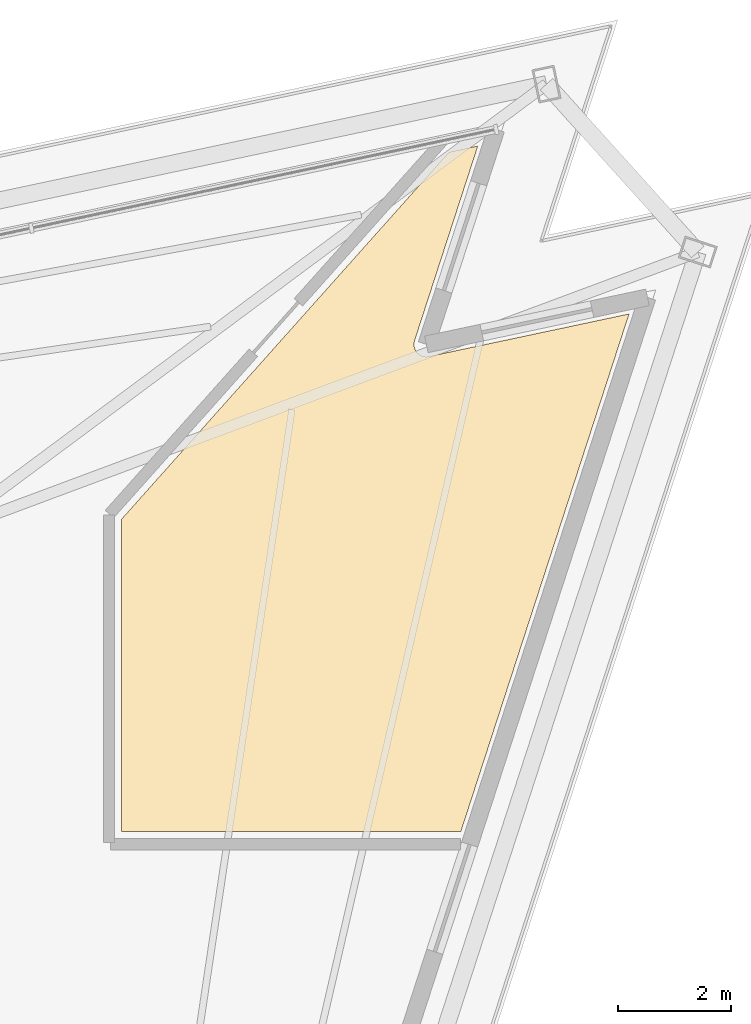
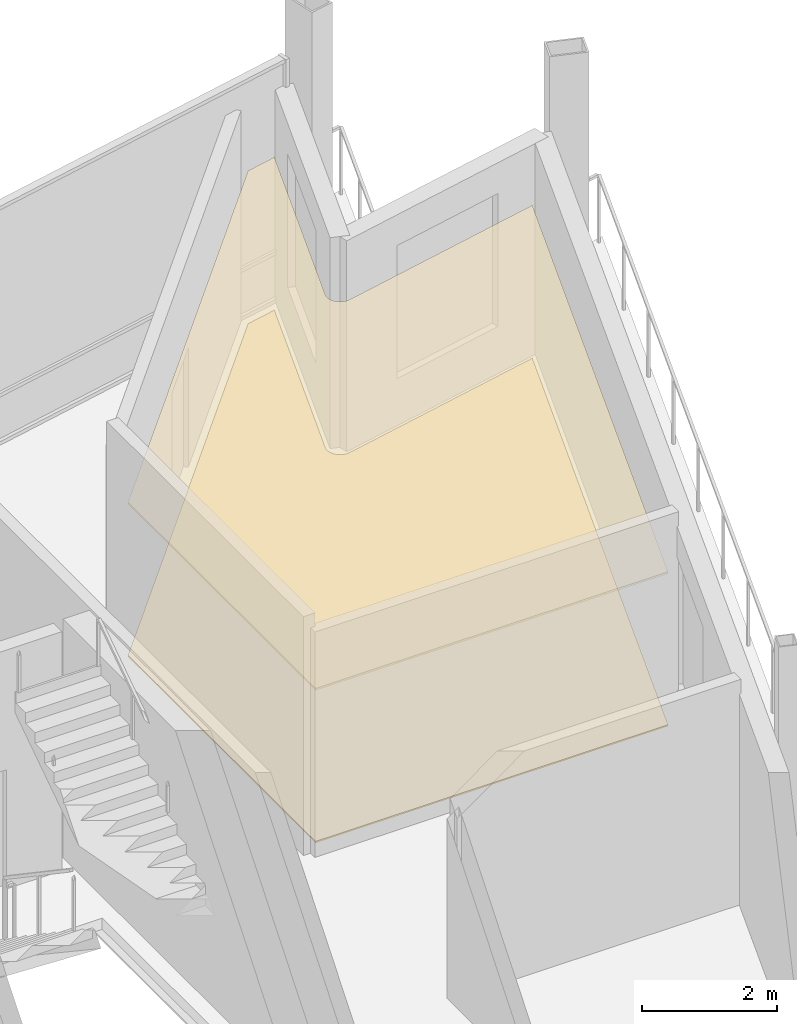
# One storey, part 11 of 11: 2 coverings.
"""IFC4 building model written with IfcOpenShell, lengths in metres."""

from ifc_helpers import new_model, si_unit, direction, frame, origin, place, context, subcontext, project, spatial, polyline, outline, extrude, material, layer, layer_set, type_object, element, save


model = new_model("IFC4")

# Units and contexts
model_context = context("Model", 3, precision=1e-05, world=origin(), true_north=direction((0.0, 1.0)))
body_context = subcontext(model_context, "Body", "Model", "MODEL_VIEW")
ifc_project = project(units=[si_unit("LENGTHUNIT", "METRE"), si_unit("AREAUNIT", "SQUARE_METRE"), si_unit("VOLUMEUNIT", "CUBIC_METRE"), si_unit("PLANEANGLEUNIT", "RADIAN"), si_unit("MASSUNIT", "GRAM", prefix="KILO")], contexts=[model_context])

# Site, building, storey
site_placement = place(None, origin())
site = spatial("IfcSite", under=ifc_project, at=site_placement, CompositionType="ELEMENT")
building_placement = place(site_placement, origin())
building = spatial("IfcBuilding", under=site, at=building_placement, Name="Tharavind Bronze Gate", CompositionType="ELEMENT")
storey_placement = place(building_placement, frame((0.0, 0.0, 306.300048828125)))
storey = spatial("IfcBuildingStorey", under=building, at=storey_placement, Name="L79", CompositionType="ELEMENT", Elevation=306.300048828125)

# Coverings
ifc_material_1 = material(Name="Perforated Bronze Acoustic Panel", Category="bronze")
ifc_layer_1 = layer(ifc_material_1, 0.044921875)
ifc_layer_set_1 = layer_set([ifc_layer_1], Name="Perforated Bronze Acoustic Panel")
covering_type_1 = type_object("IfcCoveringType", Name="ACOUSTIC BRONZE BAFFLE CEILING", PredefinedType="CEILING", material=ifc_layer_set_1)
covering_1_placement = place(storey_placement, frame((0.0, 0.0, 2.75)))
element("IfcCovering", 1, at=covering_1_placement, inside=storey, type_object=covering_type_1, Name="L79-RM-01 suspended ceiling", PredefinedType="CEILING", context=body_context, shape_type="SweptSolid", body=[
    extrude(outline(polyline([(18.116943359375, 2.320068359375), (21.100341796875, 11.502197265625), (17.553466796875, 10.748291015625), (17.54248046875, 10.74609375), (17.5419921875, 10.74609375), (17.520263671875, 10.74365234375), (17.498291015625, 10.743408203125), (17.476318359375, 10.74560546875), (17.454833984375, 10.74951171875), (17.433837890625, 10.755859375), (17.41357421875, 10.76416015625), (17.394287109375, 10.7744140625), (17.3759765625, 10.78662109375), (17.35888671875, 10.800537109375), (17.343505859375, 10.816162109375), (17.32958984375, 10.8330078125), (17.317626953125, 10.851318359375), (17.307373046875, 10.870849609375), (17.29931640625, 10.89111328125), (17.293212890625, 10.912109375), (17.2890625, 10.933837890625), (17.287109375, 10.955810546875), (17.28759765625, 10.9775390625), (17.2900390625, 10.99951171875), (17.294677734375, 11.020751953125), (17.294921875, 11.021484375), (17.298095703125, 11.031982421875), (18.41845703125, 14.480712890625), (17.907470703125, 14.372314453125), (12.10009765625, 7.86181640625), (12.10009765625, 2.320068359375), (18.116943359375, 2.320068359375)])), origin(), (0.0, 0.0, 1.0), 0.034912109375),
])
ifc_material_2 = material(Name="Honed Travertine Limestone", Category="masonry")
ifc_layer_2 = layer(ifc_material_2, 0.030029296875)
ifc_layer_set_2 = layer_set([ifc_layer_2], Name="Honed Travertine Limestone")
covering_type_2 = type_object("IfcCoveringType", Name="HONED LIMESTONE FLOORING", PredefinedType="FLOORING", material=ifc_layer_set_2)
covering_2_placement = place(storey_placement, origin())
element("IfcCovering", 2, at=covering_2_placement, inside=storey, type_object=covering_type_2, Name="L79-RM-01 floor finish", PredefinedType="FLOORING", context=body_context, shape_type="SweptSolid", body=[
    extrude(outline(polyline([(18.116943359375, 2.320068359375), (21.100341796875, 11.502197265625), (17.553466796875, 10.748291015625), (17.54248046875, 10.74609375), (17.5419921875, 10.74609375), (17.520263671875, 10.74365234375), (17.498291015625, 10.743408203125), (17.476318359375, 10.74560546875), (17.454833984375, 10.74951171875), (17.433837890625, 10.755859375), (17.41357421875, 10.76416015625), (17.394287109375, 10.7744140625), (17.3759765625, 10.78662109375), (17.35888671875, 10.800537109375), (17.343505859375, 10.816162109375), (17.32958984375, 10.8330078125), (17.317626953125, 10.851318359375), (17.307373046875, 10.870849609375), (17.29931640625, 10.89111328125), (17.293212890625, 10.912109375), (17.2890625, 10.933837890625), (17.287109375, 10.955810546875), (17.28759765625, 10.9775390625), (17.2900390625, 10.99951171875), (17.294677734375, 11.020751953125), (17.294921875, 11.021484375), (17.298095703125, 11.031982421875), (18.41845703125, 14.480712890625), (17.907470703125, 14.372314453125), (12.10009765625, 7.86181640625), (12.10009765625, 2.320068359375), (18.116943359375, 2.320068359375)])), origin(), (0.0, 0.0, 1.0), 0.02490234375),
])

save(model, "model.ifc")
